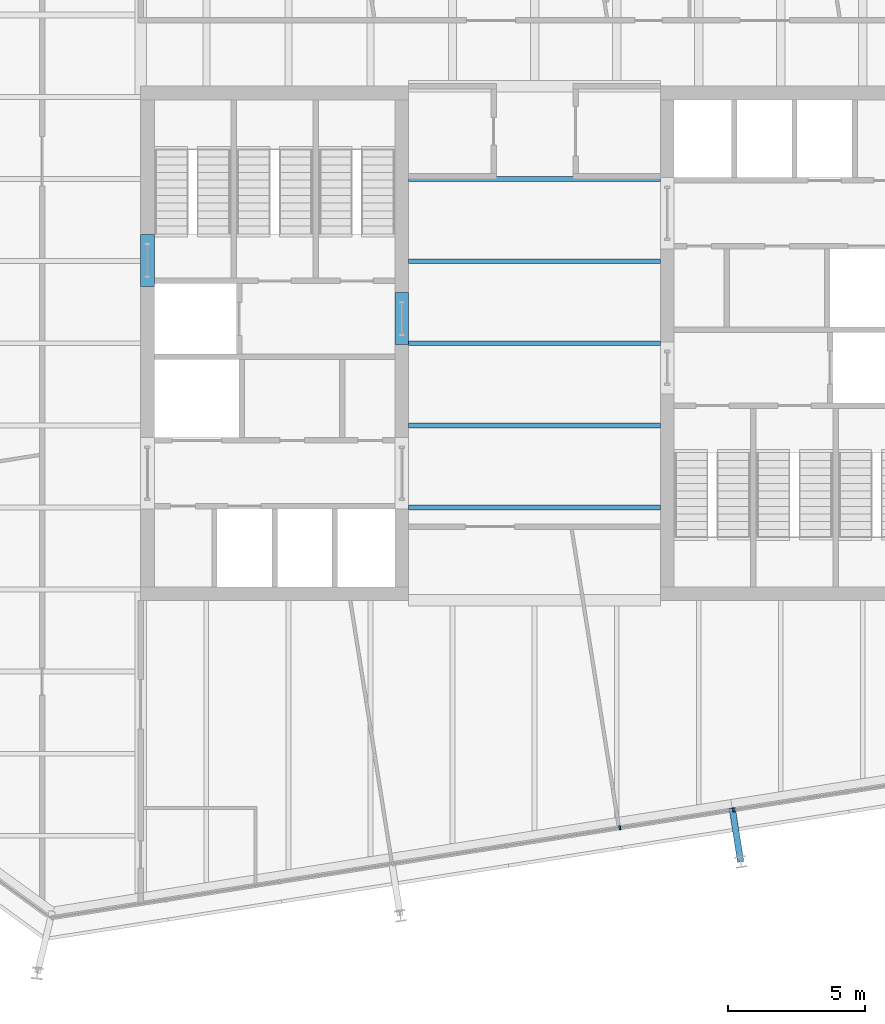
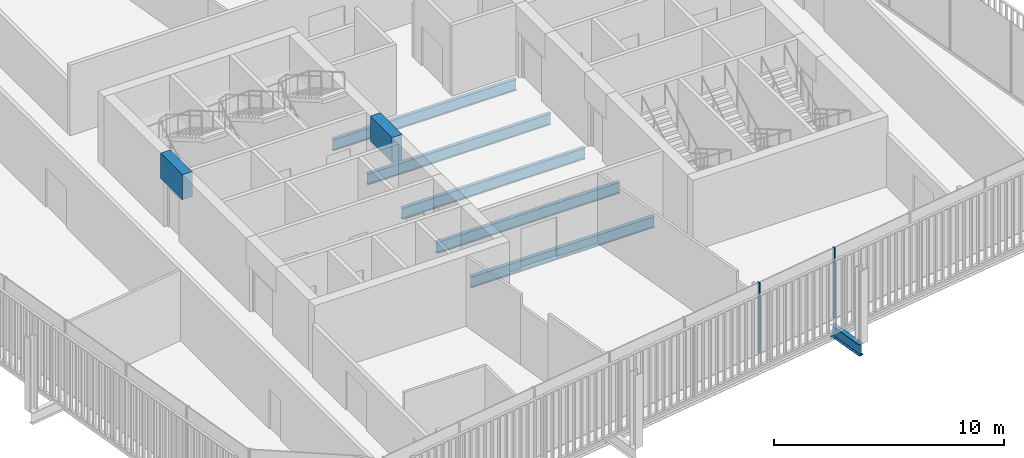
# One storey, part 7 of 20: 8 beams, 2 members, 1 element without a shape of its own.
"""IFC4 building model written with IfcOpenShell, lengths in metres."""

from ifc_helpers import new_model, si_unit, direction, frame, origin, origin_2d, place, context, subcontext, project, spatial, rectangle, i_section, extrude, material, layer, layer_set, material_profile, profile_set, type_object, element, aggregate, save


model = new_model("IFC4")

# Units and contexts
model_context = context("Model", 3, precision=1e-05, world=origin(), true_north=direction((0.0, 1.0)))
body_context = subcontext(model_context, "Body", "Model", "MODEL_VIEW")
ifc_project = project(units=[si_unit("LENGTHUNIT", "METRE"), si_unit("AREAUNIT", "SQUARE_METRE"), si_unit("VOLUMEUNIT", "CUBIC_METRE"), si_unit("PLANEANGLEUNIT", "RADIAN"), si_unit("MASSUNIT", "GRAM", prefix="KILO")], contexts=[model_context])

# Site, building, storey
site_placement = place(None, origin())
site = spatial("IfcSite", under=ifc_project, at=site_placement, CompositionType="ELEMENT")
building_placement = place(site_placement, origin())
building = spatial("IfcBuilding", under=site, at=building_placement, Name="Millrace Tower", CompositionType="ELEMENT")
storey_placement = place(building_placement, frame((0.0, 0.0, 251.300048828125)))
storey = spatial("IfcBuildingStorey", under=building, at=storey_placement, Name="L57", CompositionType="ELEMENT", Elevation=251.300048828125)

# Curtain wall, members
ifc_material_1 = material(Name="Aluminium and glass", Category="aluminium")
ifc_layer = layer(ifc_material_1, 0.14990234375)
ifc_layer_set = layer_set([ifc_layer], Name="Aluminium and glass")
curtain_wall_type = type_object("IfcCurtainWallType", Name="CW-1 office vision curtain wall", PredefinedType="NOTDEFINED", material=ifc_layer_set)
curtain_wall_placement = place(storey_placement, origin())
curtain_wall = element("IfcCurtainWall", 1, at=curtain_wall_placement, inside=storey, type_object=curtain_wall_type, Name="Curtain wall D-F02 L57", PredefinedType="NOTDEFINED")
ifc_material_2 = material(Name="Aluminium", Category="aluminium")
ifc_material_profile_1 = material_profile(ifc_material_2, rectangle(XDim=0.06494140625, YDim=0.14990234375, at=origin_2d()))
ifc_profile_set_1 = profile_set([ifc_material_profile_1], Name="Aluminium")
member_type = type_object("IfcMemberType", Name="CW-1 office vision curtain wall mullion", PredefinedType="MULLION", material=ifc_profile_set_1)
member_1_placement = place(storey_placement, frame((3.115966796875, -17.707275390625, 0.139892578125), z_axis=(0.0, 0.0, 1.0), x_axis=(0.987688339511, 0.156434471884, 0.0)))
member_1 = element("IfcMember", 2, at=member_1_placement, type_object=member_type, Name="CW1 mullion D-F02.6", PredefinedType="MULLION", context=body_context, shape_type="SweptSolid", body=[
    extrude(rectangle(XDim=0.06494140625, YDim=0.14990234375, at=origin_2d()), origin(), (0.0, 0.0, 1.0), 3.760009765625),
])
member_2_placement = place(storey_placement, frame((7.26416015625, -17.05029296875, 0.139892578125), z_axis=(0.0, 0.0, 1.0), x_axis=(0.987688339511, 0.156434471884, 0.0)))
member_2 = element("IfcMember", 3, at=member_2_placement, type_object=member_type, Name="CW1 mullion D-F02.7", PredefinedType="MULLION", context=body_context, shape_type="SweptSolid", body=[
    extrude(rectangle(XDim=0.06494140625, YDim=0.14990234375, at=origin_2d()), origin(), (0.0, 0.0, 1.0), 3.760009765625),
])
aggregate(curtain_wall, [member_1, member_2])

# Beams
ifc_material_3 = material(Name="Concrete C60", Category="concrete")
ifc_material_profile_2 = material_profile(ifc_material_3, rectangle(XDim=0.5, YDim=1.340087890625, at=origin_2d()))
ifc_profile_set_2 = profile_set([ifc_material_profile_2], Name="Concrete C60")
beam_type_1 = type_object("IfcBeamType", Name="Coupling beam 500 x 1340 Concrete C60, 1300 opening", PredefinedType="BEAM", material=ifc_profile_set_2)
beam_1_placement = place(storey_placement, frame((-14.14990234375, 2.080078125, 3.070068359375), z_axis=(0.0, 1.0, 0.0), x_axis=(-1.0, 0.0, 0.0)))
element("IfcBeam", 4, at=beam_1_placement, inside=storey, type_object=beam_type_1, Name="Coupling beam W L57", PredefinedType="BEAM", context=body_context, shape_type="SweptSolid", body=[
    extrude(rectangle(XDim=0.5, YDim=1.340087890625, at=origin_2d()), origin(), (0.0, 0.0, 1.0), 1.89990234375),
])
beam_2_placement = place(storey_placement, frame((-4.85009765625, -0.050048828125, 3.070068359375), z_axis=(0.0, 1.0, 0.0), x_axis=(-1.0, 0.0, 0.0)))
element("IfcBeam", 5, at=beam_2_placement, inside=storey, type_object=beam_type_1, Name="Coupling beam W L57", PredefinedType="BEAM", context=body_context, shape_type="SweptSolid", body=[
    extrude(rectangle(XDim=0.5, YDim=1.340087890625, at=origin_2d()), origin(), (0.0, 0.0, 1.0), 1.900146484375),
])
ifc_material_4 = material(Name="Steel ASTM A992 Grade 50", Category="steel")
ifc_material_profile_3 = material_profile(ifc_material_4, i_section(OverallWidth=0.177978515625, OverallDepth=0.599365234375, WebThickness=0.010009765625, FlangeThickness=0.012939453125, FilletRadius=0.012939453125, at=origin_2d()))
ifc_profile_set_3 = profile_set([ifc_material_profile_3], Name="Steel ASTM A992 Grade 50")
beam_type_2 = type_object("IfcBeamType", Name="Floor beam W24x55", PredefinedType="JOIST", material=ifc_profile_set_3)
for number, where, z_axis, x_axis, name in (
    (6, (-4.60009765625, -6.0, -0.459716796875), (1.0, 0.0, 0.0), (0.0, 1.0, 0.0), "BM-D-L57-S1-S008"),
    (7, (-4.60009765625, -3.0, -0.459716796875), (1.0, 0.0, 0.0), (0.0, 1.0, 0.0), "BM-D-L57-S1-S011"),
    (8, (-4.60009765625, 0.0, -0.459716796875), (1.0, 0.0, 0.0), (0.0, 1.0, 0.0), "BM-D-L57-S1-S014"),
    (9, (-4.60009765625, 3.0, -0.459716796875), (1.0, 0.0, 0.0), (0.0, 1.0, 0.0), "BM-D-L57-S1-S017"),
    (10, (-4.60009765625, 6.0, -0.459716796875), (1.0, 0.0, 0.0), (0.0, 1.0, 0.0), "BM-D-L57-S1-S020"),
):
    element("IfcBeam", number, at=place(storey_placement, frame(where, z_axis=z_axis, x_axis=x_axis)), inside=storey, type_object=beam_type_2, Name=name, PredefinedType="JOIST", context=body_context, shape_type="SweptSolid", body=[
        extrude(i_section(OverallWidth=0.177978515625, OverallDepth=0.599365234375, WebThickness=0.010009765625, FlangeThickness=0.012939453125, FilletRadius=0.012939453125, at=origin_2d()), origin(), (0.0, 0.0, 1.0), 9.2001953125),
    ])
ifc_material_5 = material(Name="Steel ASTM A992 Grade 50", Category="steel")
ifc_material_profile_4 = material_profile(ifc_material_5, i_section(OverallWidth=0.23046875, OverallDepth=0.6171875, WebThickness=0.01318359375, FlangeThickness=0.022216796875, FilletRadius=0.012939453125, at=origin_2d()))
ifc_profile_set_4 = profile_set([ifc_material_profile_4], Name="Steel ASTM A992 Grade 50")
beam_type_3 = type_object("IfcBeamType", Name="Link beam W24x94", PredefinedType="BEAM", material=ifc_profile_set_4)
beam_3_placement = place(storey_placement, frame((7.220458984375, -16.981201171875, -0.46875), z_axis=(0.156357438014, -0.987700537399, 0.0), x_axis=(0.987700537399, 0.156357438014, 0.0)))
element("IfcBeam", 11, at=beam_3_placement, inside=storey, type_object=beam_type_3, Name="LNK-D-L57-S1-14", PredefinedType="BEAM", context=body_context, shape_type="SweptSolid", body=[
    extrude(i_section(OverallWidth=0.23046875, OverallDepth=0.6171875, WebThickness=0.01318359375, FlangeThickness=0.022216796875, FilletRadius=0.012939453125, at=origin_2d()), origin(), (0.0, 0.0, 1.0), 2.000244140625),
])

save(model, "model.ifc")
